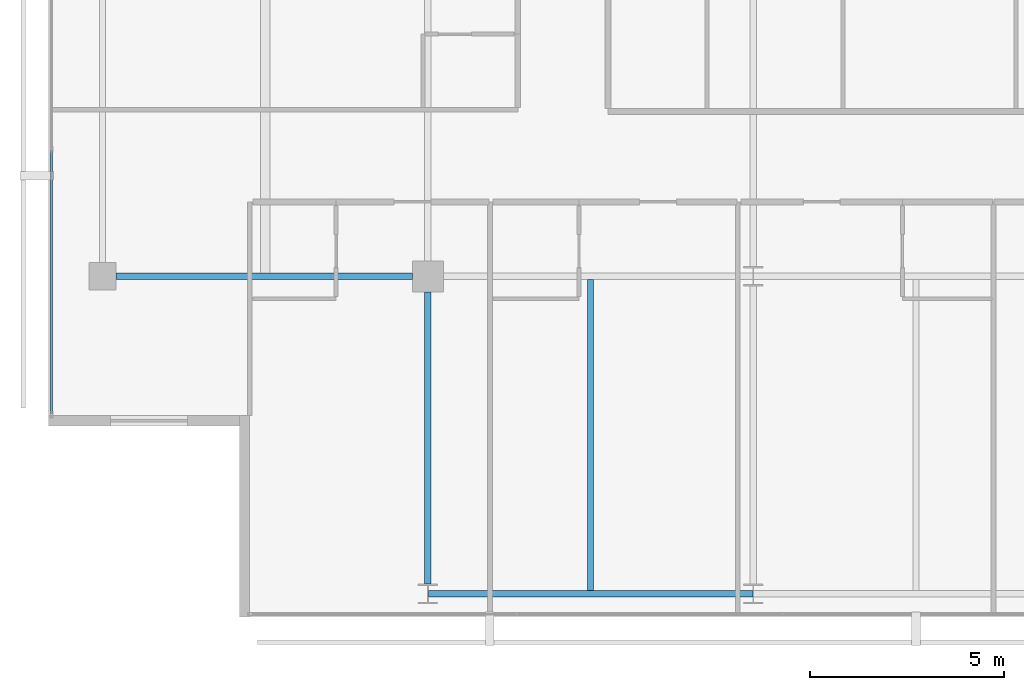
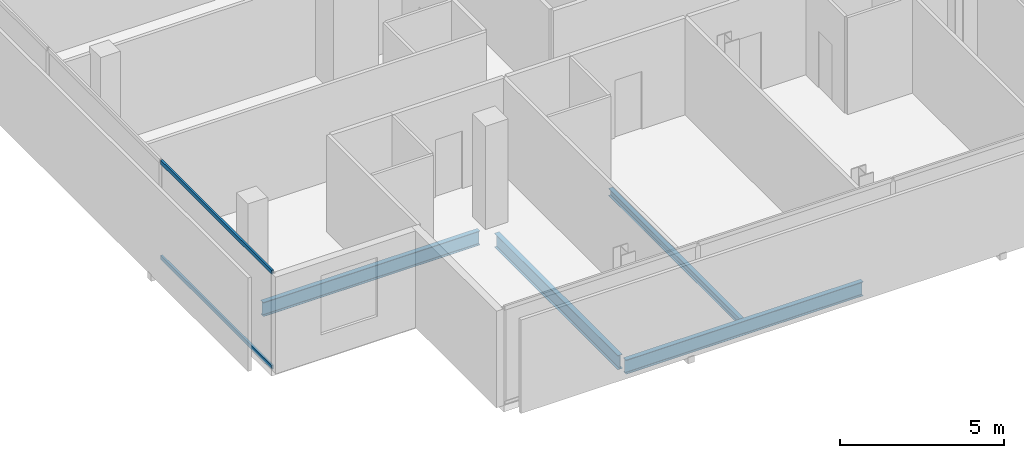
# One storey, part 3 of 26: 4 beams, 2 members, 1 element without a shape of its own.
"""IFC4 building model written with IfcOpenShell, lengths in metres."""

from ifc_helpers import new_model, si_unit, direction, frame, origin, origin_2d, place, context, subcontext, project, spatial, hollow_rectangle, i_section, extrude, material, layer, layer_set, material_profile, profile_set, type_object, element, aggregate, save


model = new_model("IFC4")

# Units and contexts
model_context = context("Model", 3, precision=1e-05, world=origin(), true_north=direction((0.0, 1.0)))
body_context = subcontext(model_context, "Body", "Model", "MODEL_VIEW")
ifc_project = project(units=[si_unit("LENGTHUNIT", "METRE"), si_unit("AREAUNIT", "SQUARE_METRE"), si_unit("VOLUMEUNIT", "CUBIC_METRE"), si_unit("PLANEANGLEUNIT", "RADIAN"), si_unit("MASSUNIT", "GRAM", prefix="KILO")], contexts=[model_context])

# Site, building, storey
site_placement = place(None, origin())
site = spatial("IfcSite", under=ifc_project, at=site_placement, CompositionType="ELEMENT")
building_placement = place(site_placement, origin())
building = spatial("IfcBuilding", under=site, at=building_placement, Name="Maruvema Waterfront Hotel and Observation Tower", CompositionType="ELEMENT")
storey_placement = place(building_placement, frame((0.0, 0.0, 293.300048828125)))
storey = spatial("IfcBuildingStorey", under=building, at=storey_placement, Name="L72", CompositionType="ELEMENT", Elevation=293.300048828125)

# Curtain wall, members
ifc_material_1 = material(Name="Anodised bronze aluminium and solar-control low-E IGU", Category="aluminium")
ifc_layer = layer(ifc_material_1, 0.159912109375, Name="Zone 3 Champagne Inner Thermal Curtain Wall System CW-04")
ifc_layer_set = layer_set([ifc_layer], Name="Anodised bronze aluminium and solar-control low-E IGU")
curtain_wall_type = type_object("IfcCurtainWallType", Name="Zone 3 Champagne Inner Thermal Curtain Wall System CW-04", PredefinedType="USERDEFINED", material=ifc_layer_set)
curtain_wall_placement = place(storey_placement, origin())
curtain_wall = element("IfcCurtainWall", 1, at=curtain_wall_placement, inside=storey, type_object=curtain_wall_type, Name="L72 Curtain Wall CW-L72-W", ObjectType="UNITISED CURTAIN WALL", PredefinedType="USERDEFINED")
ifc_material_2 = material(Name="Anodised architectural bronze aluminium", Category="aluminium")
ifc_material_profile_1 = material_profile(ifc_material_2, hollow_rectangle(XDim=0.070068359375, YDim=0.14990234375, WallThickness=0.00390625, at=origin_2d()), Name="ALU-T70x150")
ifc_profile_set_1 = profile_set([ifc_material_profile_1], Name="Anodised architectural bronze aluminium")
member_type = type_object("IfcMemberType", Name="Curtain Wall Horizontal Transom ALU-T70x150", PredefinedType="USERDEFINED", material=ifc_profile_set_1)
member_1_placement = place(storey_placement, frame((15.47998046875, 21.25, 0.030029296875), z_axis=(0.0, -1.0, 0.0), x_axis=(1.0, 0.0, 0.0)))
member_1 = element("IfcMember", 2, at=member_1_placement, type_object=member_type, Name="CW-04 transom 5.1", ObjectType="TRANSOM", PredefinedType="USERDEFINED", context=body_context, shape_type="SweptSolid", body=[
    extrude(hollow_rectangle(XDim=0.070068359375, YDim=0.14990234375, WallThickness=0.00390625, at=origin_2d()), origin(), (0.0, 0.0, 1.0), 6.7900390625),
])
member_2_placement = place(storey_placement, frame((15.47998046875, 21.25, 3.579833984375), z_axis=(0.0, -1.0, 0.0), x_axis=(1.0, 0.0, 0.0)))
member_2 = element("IfcMember", 3, at=member_2_placement, type_object=member_type, Name="CW-04 transom 5.2", ObjectType="TRANSOM", PredefinedType="USERDEFINED", context=body_context, shape_type="SweptSolid", body=[
    extrude(hollow_rectangle(XDim=0.070068359375, YDim=0.14990234375, WallThickness=0.00390625, at=origin_2d()), origin(), (0.0, 0.0, 1.0), 6.7900390625),
])
aggregate(curtain_wall, [member_1, member_2])

# Beams
ifc_material_3 = material(Name="Steel ASTM A572 Grade 50", Category="steel")
ifc_material_profile_2 = material_profile(ifc_material_3, i_section(OverallWidth=0.166015625, OverallDepth=0.529052734375, WebThickness=0.009765625, FlangeThickness=0.013671875, FilletRadius=0.014892578125, at=origin_2d()), Name="W530x74.0")
ifc_profile_set_2 = profile_set([ifc_material_profile_2], Name="Steel ASTM A572 Grade 50")
beam_type_1 = type_object("IfcBeamType", Name="Primary Floor Girder W530x74.0", PredefinedType="BEAM", material=ifc_profile_set_2)
beam_1_placement = place(storey_placement, frame((25.2109375, 9.800048828125, -0.504638671875), z_axis=(1.0, 0.0, 0.0), x_axis=(0.0, 1.0, 0.0)))
element("IfcBeam", 4, at=beam_1_placement, inside=storey, type_object=beam_type_1, Name="L72 Floor Girder EW-01", PredefinedType="BEAM", context=body_context, shape_type="SweptSolid", body=[
    extrude(i_section(OverallWidth=0.166015625, OverallDepth=0.529052734375, WebThickness=0.009765625, FlangeThickness=0.013671875, FilletRadius=0.014892578125, at=origin_2d()), origin(), (0.0, 0.0, 1.0), 8.378173828125),
])
beam_2_placement = place(storey_placement, frame((17.14990234375, 18.0, -0.504638671875), z_axis=(1.0, 0.0, 0.0), x_axis=(0.0, 1.0, 0.0)))
element("IfcBeam", 5, at=beam_2_placement, inside=storey, type_object=beam_type_1, Name="L72 Floor Girder EW-04", PredefinedType="BEAM", context=body_context, shape_type="SweptSolid", body=[
    extrude(i_section(OverallWidth=0.166015625, OverallDepth=0.529052734375, WebThickness=0.009765625, FlangeThickness=0.013671875, FilletRadius=0.014892578125, at=origin_2d()), origin(), (0.0, 0.0, 1.0), 7.650146484375),
])
beam_3_placement = place(storey_placement, frame((25.199951171875, 10.050048828125, -0.504638671875), z_axis=(0.0, 1.0, 0.0), x_axis=(-1.0, 0.0, 0.0)))
element("IfcBeam", 6, at=beam_3_placement, inside=storey, type_object=beam_type_1, Name="L72 Floor Girder NS-04", PredefinedType="BEAM", context=body_context, shape_type="SweptSolid", body=[
    extrude(i_section(OverallWidth=0.166015625, OverallDepth=0.529052734375, WebThickness=0.009765625, FlangeThickness=0.013671875, FilletRadius=0.014892578125, at=origin_2d()), origin(), (0.0, 0.0, 1.0), 7.550048828125),
])
ifc_material_4 = material(Name="Steel ASTM A572 Grade 50", Category="steel")
ifc_material_profile_3 = material_profile(ifc_material_4, i_section(OverallWidth=0.14794921875, OverallDepth=0.26611328125, WebThickness=0.007568359375, FlangeThickness=0.012939453125, FilletRadius=0.012939453125, at=origin_2d()), Name="W250x44.8")
ifc_profile_set_3 = profile_set([ifc_material_profile_3], Name="Steel ASTM A572 Grade 50")
beam_type_2 = type_object("IfcBeamType", Name="Secondary Floor Joist W250x44.8", PredefinedType="JOIST", material=ifc_profile_set_3)
beam_4_placement = place(storey_placement, frame((29.39990234375, 9.883056640625, -0.373046875), z_axis=(0.0, 1.0, 0.0), x_axis=(-1.0, 0.0, 0.0)))
element("IfcBeam", 7, at=beam_4_placement, inside=storey, type_object=beam_type_2, Name="L72 Secondary Floor Joist JS-04", PredefinedType="JOIST", context=body_context, shape_type="SweptSolid", body=[
    extrude(i_section(OverallWidth=0.14794921875, OverallDepth=0.26611328125, WebThickness=0.007568359375, FlangeThickness=0.012939453125, FilletRadius=0.012939453125, at=origin_2d()), origin(), (0.0, 0.0, 1.0), 8.033935546875),
])

save(model, "model.ifc")
